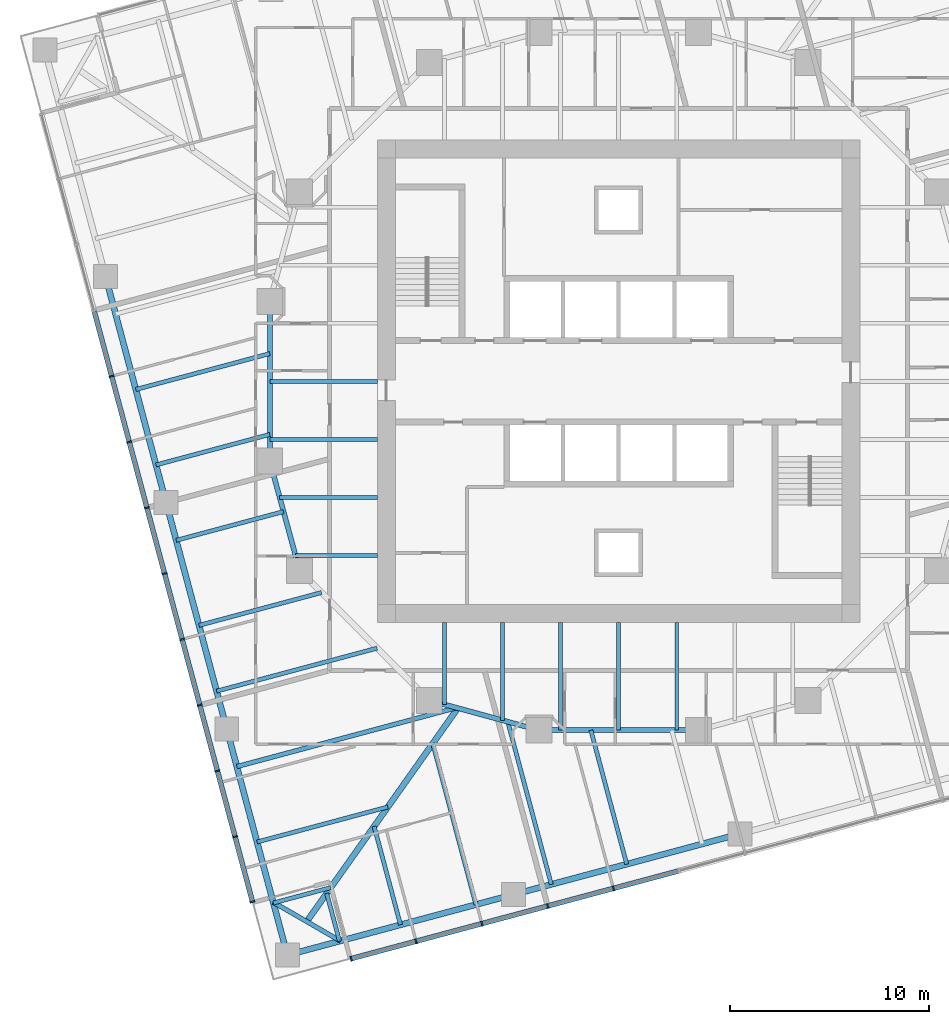
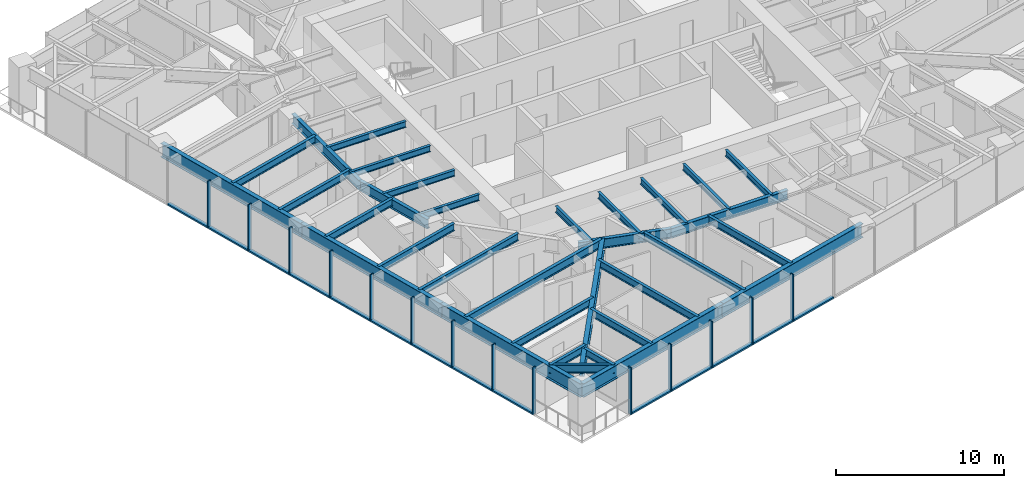
# One storey, part 2 of 15: 33 beams, 28 members, 2 elements without a shape of their own.
"""IFC4 building model written with IfcOpenShell, lengths in metres."""

from ifc_helpers import new_model, si_unit, direction, frame, origin, origin_2d, place, context, subcontext, project, spatial, rectangle, i_section, extrude, material, material_profile, profile_set, type_object, element, aggregate, save


model = new_model("IFC4")

# Units and contexts
model_context = context("Model", 3, precision=1e-05, world=origin(), true_north=direction((0.0, 1.0)))
body_context = subcontext(model_context, "Body", "Model", "MODEL_VIEW")
ifc_project = project(units=[si_unit("LENGTHUNIT", "METRE"), si_unit("AREAUNIT", "SQUARE_METRE"), si_unit("VOLUMEUNIT", "CUBIC_METRE"), si_unit("PLANEANGLEUNIT", "RADIAN"), si_unit("MASSUNIT", "GRAM", prefix="KILO")], contexts=[model_context])

# Site, building, storey
site_placement = place(None, origin())
site = spatial("IfcSite", under=ifc_project, at=site_placement, CompositionType="ELEMENT")
building_placement = place(site_placement, origin())
building = spatial("IfcBuilding", under=site, at=building_placement, Name="Torsade Residences", CompositionType="ELEMENT")
storey_placement = place(building_placement, frame((0.0, 0.0, 132.0)))
storey = spatial("IfcBuildingStorey", under=building, at=storey_placement, Name="L36", CompositionType="ELEMENT", Elevation=132.0)

# Beams
ifc_material_1 = material(Name="Steel grade 300", Category="steel")
ifc_material_profile_1 = material_profile(ifc_material_1, i_section(OverallWidth=0.300048828125, OverallDepth=0.89990234375, WebThickness=0.011962890625, FlangeThickness=0.02490234375, at=origin_2d()), Name="900WB175")
ifc_profile_set_1 = profile_set([ifc_material_profile_1], Name="Steel grade 300")
beam_type_1 = type_object("IfcBeamType", Name="CORNER GIRDER 900WB175", PredefinedType="BEAM", material=ifc_profile_set_1)
beam_1_placement = place(storey_placement, frame((24.355224609375, 2.902587890625, 2.800048828125), z_axis=(0.577683167004, 0.816261084801, 0.0), x_axis=(-0.816261084801, 0.577683167004, 0.0)))
element("IfcBeam", 1, at=beam_1_placement, inside=storey, type_object=beam_type_1, Name="Corner girder 01 L37", PredefinedType="BEAM", context=body_context, shape_type="SweptSolid", body=[
    extrude(i_section(OverallWidth=0.300048828125, OverallDepth=0.89990234375, WebThickness=0.011962890625, FlangeThickness=0.02490234375, at=origin_2d()), origin(), (0.0, 0.0, 1.0), 13.116943359375),
])
ifc_material_2 = material(Name="Steel grade 300", Category="steel")
ifc_material_profile_2 = material_profile(ifc_material_2, i_section(OverallWidth=0.22802734375, OverallDepth=0.60205078125, WebThickness=0.010498046875, FlangeThickness=0.014892578125, FilletRadius=0.013916015625, at=origin_2d()), Name="610UB101")
ifc_profile_set_2 = profile_set([ifc_material_profile_2], Name="Steel grade 300")
beam_type_2 = type_object("IfcBeamType", Name="CORNER TRIMMER 610UB101", PredefinedType="BEAM", material=ifc_profile_set_2)
beam_2_placement = place(storey_placement, frame((26.039306640625, 1.93017578125, 2.948974609375), z_axis=(-0.866028782848, 0.499994147244, 0.0), x_axis=(-0.499994147244, -0.866028782848, 0.0)))
element("IfcBeam", 2, at=beam_2_placement, inside=storey, type_object=beam_type_2, Name="Corner trimmer 01 L37", PredefinedType="BEAM", context=body_context, shape_type="SweptSolid", body=[
    extrude(i_section(OverallWidth=0.22802734375, OverallDepth=0.60205078125, WebThickness=0.010498046875, FlangeThickness=0.014892578125, FilletRadius=0.013916015625, at=origin_2d()), origin(), (0.0, 0.0, 1.0), 3.88916015625),
])
ifc_material_3 = material(Name="Steel grade 300", Category="steel")
ifc_material_profile_3 = material_profile(ifc_material_3, i_section(OverallWidth=0.300048828125, OverallDepth=1.0, WebThickness=0.01611328125, FlangeThickness=0.028076171875, at=origin_2d()), Name="1000WB215")
ifc_profile_set_3 = profile_set([ifc_material_profile_3], Name="Steel grade 300")
beam_type_3 = type_object("IfcBeamType", Name="EDGE BEAM 1000WB215", PredefinedType="SPANDREL", material=ifc_profile_set_3)
for number, where, z_axis, x_axis, name in (
    (3, (23.383056640625, 1.218505859375, 2.75), (0.965928018634, 0.258810863021, 0.0), (-0.258810863021, 0.965928018634, 0.0), "Edge beam 01 L37"),
    (4, (34.732666015625, 4.259521484375, 2.75), (0.965922824118, 0.258830249097, 0.0), (-0.258830249097, 0.965922824118, 0.0), "Edge beam 02 L37"),
    (5, (14.259521484375, 35.267333984375, 2.75), (0.258830249097, -0.965922824118, 0.0), (0.965922824118, 0.258830249097, 0.0), "Edge beam 14 L37"),
    (6, (17.30078125, 23.917724609375, 2.75), (0.258810863021, -0.965928018634, 0.0), (0.965928018634, 0.258810863021, 0.0), "Edge beam 15 L37"),
    (7, (20.341796875, 12.568115234375, 2.75), (0.258830249097, -0.965922824118, 0.0), (0.965922824118, 0.258830249097, 0.0), "Edge beam 16 L37"),
):
    element("IfcBeam", number, at=place(storey_placement, frame(where, z_axis=z_axis, x_axis=x_axis)), inside=storey, type_object=beam_type_3, Name=name, PredefinedType="SPANDREL", context=body_context, shape_type="SweptSolid", body=[
        extrude(i_section(OverallWidth=0.300048828125, OverallDepth=1.0, WebThickness=0.01611328125, FlangeThickness=0.028076171875, at=origin_2d()), origin(), (0.0, 0.0, 1.0), 11.75),
    ])
ifc_material_4 = material(Name="Steel grade 300", Category="steel")
ifc_material_profile_4 = material_profile(ifc_material_4, i_section(OverallWidth=0.18994140625, OverallDepth=0.4541015625, WebThickness=0.008544921875, FlangeThickness=0.0126953125, FilletRadius=0.011474609375, at=origin_2d()), Name="460UB67.1")
ifc_profile_set_4 = profile_set([ifc_material_profile_4], Name="Steel grade 300")
beam_type_4 = type_object("IfcBeamType", Name="INNER FLOOR BEAM 460UB67.1", PredefinedType="JOIST", material=ifc_profile_set_4)
for number, where, z_axis, x_axis, name in (
    (8, (42.91259765625, 17.89990234375, 3.02294921875), (0.0, -1.0, 0.0), (1.0, 0.0, 0.0), "Inner floor beam IS03 L37"),
    (9, (40.0, 17.89990234375, 3.02294921875), (0.0, -1.0, 0.0), (1.0, 0.0, 0.0), "Inner floor beam IS04 L37"),
    (10, (37.08740234375, 17.89990234375, 3.02294921875), (0.0, -1.0, 0.0), (1.0, 0.0, 0.0), "Inner floor beam IS05 L37"),
):
    element("IfcBeam", number, at=place(storey_placement, frame(where, z_axis=z_axis, x_axis=x_axis)), inside=storey, type_object=beam_type_4, Name=name, PredefinedType="JOIST", context=body_context, shape_type="SweptSolid", body=[
        extrude(i_section(OverallWidth=0.18994140625, OverallDepth=0.4541015625, WebThickness=0.008544921875, FlangeThickness=0.0126953125, FilletRadius=0.011474609375, at=origin_2d()), origin(), (0.0, 0.0, 1.0), 5.39990234375),
    ])
beam_3_placement = place(storey_placement, frame((34.175048828125, 17.89990234375, 3.02294921875), z_axis=(0.0, -1.0, 0.0), x_axis=(1.0, 0.0, 0.0)))
element("IfcBeam", 11, at=beam_3_placement, inside=storey, type_object=beam_type_4, Name="Inner floor beam IS06 L37", PredefinedType="JOIST", context=body_context, shape_type="SweptSolid", body=[
    extrude(i_section(OverallWidth=0.18994140625, OverallDepth=0.4541015625, WebThickness=0.008544921875, FlangeThickness=0.0126953125, FilletRadius=0.011474609375, at=origin_2d()), origin(), (0.0, 0.0, 1.0), 4.902099609375),
])
beam_4_placement = place(storey_placement, frame((31.262451171875, 17.89990234375, 3.02294921875), z_axis=(0.0, -1.0, 0.0), x_axis=(1.0, 0.0, 0.0)))
element("IfcBeam", 12, at=beam_4_placement, inside=storey, type_object=beam_type_4, Name="Inner floor beam IS07 L37", PredefinedType="JOIST", context=body_context, shape_type="SweptSolid", body=[
    extrude(i_section(OverallWidth=0.18994140625, OverallDepth=0.4541015625, WebThickness=0.008544921875, FlangeThickness=0.0126953125, FilletRadius=0.011474609375, at=origin_2d()), origin(), (0.0, 0.0, 1.0), 4.10791015625),
])
for number, where, z_axis, x_axis, name in (
    (13, (27.89990234375, 30.0, 3.02294921875), (-1.0, 0.0, 0.0), (0.0, -1.0, 0.0), "Inner floor beam IW04 L37"),
    (14, (27.89990234375, 27.08740234375, 3.02294921875), (-1.0, 0.0, 0.0), (0.0, -1.0, 0.0), "Inner floor beam IW05 L37"),
):
    element("IfcBeam", number, at=place(storey_placement, frame(where, z_axis=z_axis, x_axis=x_axis)), inside=storey, type_object=beam_type_4, Name=name, PredefinedType="JOIST", context=body_context, shape_type="SweptSolid", body=[
        extrude(i_section(OverallWidth=0.18994140625, OverallDepth=0.4541015625, WebThickness=0.008544921875, FlangeThickness=0.0126953125, FilletRadius=0.011474609375, at=origin_2d()), origin(), (0.0, 0.0, 1.0), 5.39990234375),
    ])
beam_5_placement = place(storey_placement, frame((27.89990234375, 24.175048828125, 3.02294921875), z_axis=(-1.0, 0.0, 0.0), x_axis=(0.0, -1.0, 0.0)))
element("IfcBeam", 15, at=beam_5_placement, inside=storey, type_object=beam_type_4, Name="Inner floor beam IW06 L37", PredefinedType="JOIST", context=body_context, shape_type="SweptSolid", body=[
    extrude(i_section(OverallWidth=0.18994140625, OverallDepth=0.4541015625, WebThickness=0.008544921875, FlangeThickness=0.0126953125, FilletRadius=0.011474609375, at=origin_2d()), origin(), (0.0, 0.0, 1.0), 4.902099609375),
])
beam_6_placement = place(storey_placement, frame((27.89990234375, 21.262451171875, 3.02294921875), z_axis=(-1.0, 0.0, 0.0), x_axis=(0.0, -1.0, 0.0)))
element("IfcBeam", 16, at=beam_6_placement, inside=storey, type_object=beam_type_4, Name="Inner floor beam IW07 L37", PredefinedType="JOIST", context=body_context, shape_type="SweptSolid", body=[
    extrude(i_section(OverallWidth=0.18994140625, OverallDepth=0.4541015625, WebThickness=0.008544921875, FlangeThickness=0.0126953125, FilletRadius=0.011474609375, at=origin_2d()), origin(), (0.0, 0.0, 1.0), 4.10791015625),
])

# Curtain wall, members
ifc_material_5 = material(Name="Aluminium and glass", Category="aluminium")
curtain_wall_type = type_object("IfcCurtainWallType", Name="FRITTED GLASS CURTAIN WALL MID ZONE", PredefinedType="NOTDEFINED", material=ifc_material_5)
curtain_wall_1_placement = place(storey_placement, origin())
curtain_wall_1 = element("IfcCurtainWall", 17, at=curtain_wall_1_placement, inside=storey, type_object=curtain_wall_type, Name="Curtain wall L36 face 1", PredefinedType="NOTDEFINED")
ifc_material_6 = material(Name="Aluminium mullion", Category="aluminium")
ifc_material_profile_5 = material_profile(ifc_material_6, rectangle(XDim=0.25, YDim=0.080078125, at=origin_2d()), Name="MID ZONE CURTAIN WALL MULLION 250x80")
ifc_profile_set_5 = profile_set([ifc_material_profile_5], Name="Aluminium mullion")
member_type_1 = type_object("IfcMemberType", Name="MID ZONE CURTAIN WALL MULLION 250x80", PredefinedType="MULLION", material=ifc_profile_set_5)
member_1_placement = place(storey_placement, frame((26.578125, 1.039306640625, 0.0), z_axis=(0.0, 0.0, 1.0), x_axis=(-0.258819047783, 0.965925825571, 0.0)))
member_1 = element("IfcMember", 18, at=member_1_placement, type_object=member_type_1, Name="Mullion 1", PredefinedType="MULLION", context=body_context, shape_type="SweptSolid", body=[
    extrude(rectangle(XDim=0.25, YDim=0.080078125, at=origin_2d()), origin(), (0.0, 0.0, 1.0), 3.39990234375),
])
member_2_placement = place(storey_placement, frame((29.83984375, 1.913330078125, 0.0), z_axis=(0.0, 0.0, 1.0), x_axis=(-0.258819047783, 0.965925825571, 0.0)))
member_2 = element("IfcMember", 19, at=member_2_placement, type_object=member_type_1, Name="Mullion 2", PredefinedType="MULLION", context=body_context, shape_type="SweptSolid", body=[
    extrude(rectangle(XDim=0.25, YDim=0.080078125, at=origin_2d()), origin(), (0.0, 0.0, 1.0), 3.39990234375),
])
member_3_placement = place(storey_placement, frame((33.14013671875, 2.797607421875, 0.0), z_axis=(0.0, 0.0, 1.0), x_axis=(-0.258819047783, 0.965925825571, 0.0)))
member_3 = element("IfcMember", 20, at=member_3_placement, type_object=member_type_1, Name="Mullion 3", PredefinedType="MULLION", context=body_context, shape_type="SweptSolid", body=[
    extrude(rectangle(XDim=0.25, YDim=0.080078125, at=origin_2d()), origin(), (0.0, 0.0, 1.0), 3.39990234375),
])
member_4_placement = place(storey_placement, frame((36.4404296875, 3.681884765625, 0.0), z_axis=(0.0, 0.0, 1.0), x_axis=(-0.258819047783, 0.965925825571, 0.0)))
member_4 = element("IfcMember", 21, at=member_4_placement, type_object=member_type_1, Name="Mullion 4", PredefinedType="MULLION", context=body_context, shape_type="SweptSolid", body=[
    extrude(rectangle(XDim=0.25, YDim=0.080078125, at=origin_2d()), origin(), (0.0, 0.0, 1.0), 3.39990234375),
])
member_5_placement = place(storey_placement, frame((39.740478515625, 4.566162109375, 0.0), z_axis=(0.0, 0.0, 1.0), x_axis=(-0.258819047783, 0.965925825571, 0.0)))
member_5 = element("IfcMember", 22, at=member_5_placement, type_object=member_type_1, Name="Mullion 5", PredefinedType="MULLION", context=body_context, shape_type="SweptSolid", body=[
    extrude(rectangle(XDim=0.25, YDim=0.080078125, at=origin_2d()), origin(), (0.0, 0.0, 1.0), 3.39990234375),
])

curtain_wall_2_placement = place(storey_placement, origin())
curtain_wall_2 = element("IfcCurtainWall", 23, at=curtain_wall_2_placement, inside=storey, type_object=curtain_wall_type, Name="Curtain wall L36 face 10", PredefinedType="NOTDEFINED")
member_6_placement = place(storey_placement, frame((14.566162109375, 30.259521484375, 0.0), z_axis=(0.0, 0.0, 1.0), x_axis=(0.965925825571, 0.258819047783, 0.0)))
member_6 = element("IfcMember", 24, at=member_6_placement, type_object=member_type_1, Name="Mullion 5", PredefinedType="MULLION", context=body_context, shape_type="SweptSolid", body=[
    extrude(rectangle(XDim=0.25, YDim=0.080078125, at=origin_2d()), origin(), (0.0, 0.0, 1.0), 3.39990234375),
])
member_7_placement = place(storey_placement, frame((15.450439453125, 26.959228515625, 0.0), z_axis=(0.0, 0.0, 1.0), x_axis=(0.965925825571, 0.258819047783, 0.0)))
member_7 = element("IfcMember", 25, at=member_7_placement, type_object=member_type_1, Name="Mullion 6", PredefinedType="MULLION", context=body_context, shape_type="SweptSolid", body=[
    extrude(rectangle(XDim=0.25, YDim=0.080078125, at=origin_2d()), origin(), (0.0, 0.0, 1.0), 3.39990234375),
])
member_8_placement = place(storey_placement, frame((16.334716796875, 23.658935546875, 0.0), z_axis=(0.0, 0.0, 1.0), x_axis=(0.965925825571, 0.258819047783, 0.0)))
member_8 = element("IfcMember", 26, at=member_8_placement, type_object=member_type_1, Name="Mullion 7", PredefinedType="MULLION", context=body_context, shape_type="SweptSolid", body=[
    extrude(rectangle(XDim=0.25, YDim=0.080078125, at=origin_2d()), origin(), (0.0, 0.0, 1.0), 3.39990234375),
])
member_9_placement = place(storey_placement, frame((17.218994140625, 20.358642578125, 0.0), z_axis=(0.0, 0.0, 1.0), x_axis=(0.965925825571, 0.258819047783, 0.0)))
member_9 = element("IfcMember", 27, at=member_9_placement, type_object=member_type_1, Name="Mullion 8", PredefinedType="MULLION", context=body_context, shape_type="SweptSolid", body=[
    extrude(rectangle(XDim=0.25, YDim=0.080078125, at=origin_2d()), origin(), (0.0, 0.0, 1.0), 3.39990234375),
])
member_10_placement = place(storey_placement, frame((18.103515625, 17.058349609375, 0.0), z_axis=(0.0, 0.0, 1.0), x_axis=(0.965925825571, 0.258819047783, 0.0)))
member_10 = element("IfcMember", 28, at=member_10_placement, type_object=member_type_1, Name="Mullion 9", PredefinedType="MULLION", context=body_context, shape_type="SweptSolid", body=[
    extrude(rectangle(XDim=0.25, YDim=0.080078125, at=origin_2d()), origin(), (0.0, 0.0, 1.0), 3.39990234375),
])
member_11_placement = place(storey_placement, frame((18.98779296875, 13.75830078125, 0.0), z_axis=(0.0, 0.0, 1.0), x_axis=(0.965925825571, 0.258819047783, 0.0)))
member_11 = element("IfcMember", 29, at=member_11_placement, type_object=member_type_1, Name="Mullion 10", PredefinedType="MULLION", context=body_context, shape_type="SweptSolid", body=[
    extrude(rectangle(XDim=0.25, YDim=0.080078125, at=origin_2d()), origin(), (0.0, 0.0, 1.0), 3.39990234375),
])
member_12_placement = place(storey_placement, frame((19.8720703125, 10.4580078125, 0.0), z_axis=(0.0, 0.0, 1.0), x_axis=(0.965925825571, 0.258819047783, 0.0)))
member_12 = element("IfcMember", 30, at=member_12_placement, type_object=member_type_1, Name="Mullion 11", PredefinedType="MULLION", context=body_context, shape_type="SweptSolid", body=[
    extrude(rectangle(XDim=0.25, YDim=0.080078125, at=origin_2d()), origin(), (0.0, 0.0, 1.0), 3.39990234375),
])
member_13_placement = place(storey_placement, frame((20.75634765625, 7.15771484375, 0.0), z_axis=(0.0, 0.0, 1.0), x_axis=(0.965925825571, 0.258819047783, 0.0)))
member_13 = element("IfcMember", 31, at=member_13_placement, type_object=member_type_1, Name="Mullion 12", PredefinedType="MULLION", context=body_context, shape_type="SweptSolid", body=[
    extrude(rectangle(XDim=0.25, YDim=0.080078125, at=origin_2d()), origin(), (0.0, 0.0, 1.0), 3.39990234375),
])
member_14_placement = place(storey_placement, frame((21.63037109375, 3.89599609375, 0.0), z_axis=(0.0, 0.0, 1.0), x_axis=(0.965925825571, 0.258819047783, 0.0)))
member_14 = element("IfcMember", 32, at=member_14_placement, type_object=member_type_1, Name="Mullion 13", PredefinedType="MULLION", context=body_context, shape_type="SweptSolid", body=[
    extrude(rectangle(XDim=0.25, YDim=0.080078125, at=origin_2d()), origin(), (0.0, 0.0, 1.0), 3.39990234375),
])

# Member
ifc_material_7 = material(Name="Aluminium transom", Category="aluminium")
ifc_material_profile_6 = material_profile(ifc_material_7, rectangle(XDim=0.25, YDim=0.110107421875, at=origin_2d()), Name="MID ZONE CURTAIN WALL TRANSOM 250x110")
ifc_profile_set_6 = profile_set([ifc_material_profile_6], Name="Aluminium transom")
member_type_2 = type_object("IfcMemberType", Name="MID ZONE CURTAIN WALL TRANSOM 250x110", PredefinedType="USERDEFINED", material=ifc_profile_set_6)
member_15_placement = place(storey_placement, frame((26.616943359375, 1.0498046875, 0.054931640625), z_axis=(0.965923258633, 0.258828627534, 0.0), x_axis=(-0.258828627534, 0.965923258633, 0.0)))
member_15 = element("IfcMember", 33, at=member_15_placement, type_object=member_type_2, Name="Transom 1.1", ObjectType="TRANSOM", PredefinedType="USERDEFINED", context=body_context, shape_type="SweptSolid", body=[
    extrude(rectangle(XDim=0.25, YDim=0.110107421875, at=origin_2d()), origin(), (0.0, 0.0, 1.0), 3.296630859375),
])

member_16_placement = place(storey_placement, frame((29.87841796875, 1.923583984375, 0.054931640625), z_axis=(0.965916044226, 0.258855549498, 0.0), x_axis=(-0.258855549498, 0.965916044226, 0.0)))
member_16 = element("IfcMember", 34, at=member_16_placement, type_object=member_type_2, Name="Transom 2.1", ObjectType="TRANSOM", PredefinedType="USERDEFINED", context=body_context, shape_type="SweptSolid", body=[
    extrude(rectangle(XDim=0.25, YDim=0.110107421875, at=origin_2d()), origin(), (0.0, 0.0, 1.0), 3.3369140625),
])

member_17_placement = place(storey_placement, frame((33.1787109375, 2.807861328125, 0.054931640625), z_axis=(0.96591114124, 0.258873844232, 0.0), x_axis=(-0.258873844232, 0.96591114124, 0.0)))
member_17 = element("IfcMember", 35, at=member_17_placement, type_object=member_type_2, Name="Transom 3.1", ObjectType="TRANSOM", PredefinedType="USERDEFINED", context=body_context, shape_type="SweptSolid", body=[
    extrude(rectangle(XDim=0.25, YDim=0.110107421875, at=origin_2d()), origin(), (0.0, 0.0, 1.0), 3.336669921875),
])

member_18_placement = place(storey_placement, frame((36.47900390625, 3.6923828125, 0.054931640625), z_axis=(0.965929435155, 0.258805576255, 0.0), x_axis=(-0.258805576255, 0.965929435155, 0.0)))
member_18 = element("IfcMember", 36, at=member_18_placement, type_object=member_type_2, Name="Transom 4.1", ObjectType="TRANSOM", PredefinedType="USERDEFINED", context=body_context, shape_type="SweptSolid", body=[
    extrude(rectangle(XDim=0.25, YDim=0.110107421875, at=origin_2d()), origin(), (0.0, 0.0, 1.0), 3.336669921875),
])

member_19_placement = place(storey_placement, frame((39.779296875, 4.57666015625, 0.054931640625), z_axis=(0.965929435155, 0.258805576255, 0.0), x_axis=(-0.258805576255, 0.965929435155, 0.0)))
member_19 = element("IfcMember", 37, at=member_19_placement, type_object=member_type_2, Name="Transom 5.1", ObjectType="TRANSOM", PredefinedType="USERDEFINED", context=body_context, shape_type="SweptSolid", body=[
    extrude(rectangle(XDim=0.25, YDim=0.110107421875, at=origin_2d()), origin(), (0.0, 0.0, 1.0), 3.336669921875),
])

aggregate(curtain_wall_1, [member_1, member_2, member_3, member_4, member_5, member_15, member_16, member_17, member_18, member_19])

member_20_placement = place(storey_placement, frame((13.6923828125, 33.52099609375, 0.054931640625), z_axis=(0.258805576255, -0.965929435155, 0.0), x_axis=(0.965929435155, 0.258805576255, 0.0)))
member_20 = element("IfcMember", 38, at=member_20_placement, type_object=member_type_2, Name="Transom 4.1", ObjectType="TRANSOM", PredefinedType="USERDEFINED", context=body_context, shape_type="SweptSolid", body=[
    extrude(rectangle(XDim=0.25, YDim=0.110107421875, at=origin_2d()), origin(), (0.0, 0.0, 1.0), 3.336669921875),
])

member_21_placement = place(storey_placement, frame((14.57666015625, 30.220703125, 0.054931640625), z_axis=(0.258805576255, -0.965929435155, 0.0), x_axis=(0.965929435155, 0.258805576255, 0.0)))
member_21 = element("IfcMember", 39, at=member_21_placement, type_object=member_type_2, Name="Transom 5.1", ObjectType="TRANSOM", PredefinedType="USERDEFINED", context=body_context, shape_type="SweptSolid", body=[
    extrude(rectangle(XDim=0.25, YDim=0.110107421875, at=origin_2d()), origin(), (0.0, 0.0, 1.0), 3.336669921875),
])

member_22_placement = place(storey_placement, frame((15.4609375, 26.920654296875, 0.054931640625), z_axis=(0.258787285653, -0.965934335648, 0.0), x_axis=(0.965934335648, 0.258787285653, 0.0)))
member_22 = element("IfcMember", 40, at=member_22_placement, type_object=member_type_2, Name="Transom 6.1", ObjectType="TRANSOM", PredefinedType="USERDEFINED", context=body_context, shape_type="SweptSolid", body=[
    extrude(rectangle(XDim=0.25, YDim=0.110107421875, at=origin_2d()), origin(), (0.0, 0.0, 1.0), 3.3369140625),
])

member_23_placement = place(storey_placement, frame((16.34521484375, 23.620361328125, 0.054931640625), z_axis=(0.258787285653, -0.965934335648, 0.0), x_axis=(0.965934335648, 0.258787285653, 0.0)))
member_23 = element("IfcMember", 41, at=member_23_placement, type_object=member_type_2, Name="Transom 7.1", ObjectType="TRANSOM", PredefinedType="USERDEFINED", context=body_context, shape_type="SweptSolid", body=[
    extrude(rectangle(XDim=0.25, YDim=0.110107421875, at=origin_2d()), origin(), (0.0, 0.0, 1.0), 3.3369140625),
])

member_24_placement = place(storey_placement, frame((17.2294921875, 20.320068359375, 0.054931640625), z_axis=(0.258805576255, -0.965929435155, 0.0), x_axis=(0.965929435155, 0.258805576255, 0.0)))
member_24 = element("IfcMember", 42, at=member_24_placement, type_object=member_type_2, Name="Transom 8.1", ObjectType="TRANSOM", PredefinedType="USERDEFINED", context=body_context, shape_type="SweptSolid", body=[
    extrude(rectangle(XDim=0.25, YDim=0.110107421875, at=origin_2d()), origin(), (0.0, 0.0, 1.0), 3.336669921875),
])

member_25_placement = place(storey_placement, frame((18.11376953125, 17.019775390625, 0.054931640625), z_axis=(0.258805576255, -0.965929435155, 0.0), x_axis=(0.965929435155, 0.258805576255, 0.0)))
member_25 = element("IfcMember", 43, at=member_25_placement, type_object=member_type_2, Name="Transom 9.1", ObjectType="TRANSOM", PredefinedType="USERDEFINED", context=body_context, shape_type="SweptSolid", body=[
    extrude(rectangle(XDim=0.25, YDim=0.110107421875, at=origin_2d()), origin(), (0.0, 0.0, 1.0), 3.336669921875),
])

member_26_placement = place(storey_placement, frame((18.998046875, 13.719482421875, 0.054931640625), z_axis=(0.258805576255, -0.965929435155, 0.0), x_axis=(0.965929435155, 0.258805576255, 0.0)))
member_26 = element("IfcMember", 44, at=member_26_placement, type_object=member_type_2, Name="Transom 10.1", ObjectType="TRANSOM", PredefinedType="USERDEFINED", context=body_context, shape_type="SweptSolid", body=[
    extrude(rectangle(XDim=0.25, YDim=0.110107421875, at=origin_2d()), origin(), (0.0, 0.0, 1.0), 3.336669921875),
])

member_27_placement = place(storey_placement, frame((19.88232421875, 10.419189453125, 0.054931640625), z_axis=(0.258805576255, -0.965929435155, 0.0), x_axis=(0.965929435155, 0.258805576255, 0.0)))
member_27 = element("IfcMember", 45, at=member_27_placement, type_object=member_type_2, Name="Transom 11.1", ObjectType="TRANSOM", PredefinedType="USERDEFINED", context=body_context, shape_type="SweptSolid", body=[
    extrude(rectangle(XDim=0.25, YDim=0.110107421875, at=origin_2d()), origin(), (0.0, 0.0, 1.0), 3.336669921875),
])

member_28_placement = place(storey_placement, frame((20.7666015625, 7.119140625, 0.054931640625), z_axis=(0.258828627534, -0.965923258633, 0.0), x_axis=(0.965923258633, 0.258828627534, 0.0)))
member_28 = element("IfcMember", 46, at=member_28_placement, type_object=member_type_2, Name="Transom 12.1", ObjectType="TRANSOM", PredefinedType="USERDEFINED", context=body_context, shape_type="SweptSolid", body=[
    extrude(rectangle(XDim=0.25, YDim=0.110107421875, at=origin_2d()), origin(), (0.0, 0.0, 1.0), 3.296630859375),
])

aggregate(curtain_wall_2, [member_6, member_7, member_8, member_9, member_10, member_11, member_12, member_13, member_14, member_20, member_21, member_22, member_23, member_24, member_25, member_26, member_27, member_28])

# Beams
ifc_material_8 = material(Name="Steel grade 300", Category="steel")
ifc_material_profile_7 = material_profile(ifc_material_8, i_section(OverallWidth=0.25, OverallDepth=0.699951171875, WebThickness=0.010009765625, FlangeThickness=0.02001953125, at=origin_2d()), Name="700WB130")
ifc_profile_set_7 = profile_set([ifc_material_profile_7], Name="Steel grade 300")
beam_type_5 = type_object("IfcBeamType", Name="RING GIRDER 700WB130", PredefinedType="BEAM", material=ifc_profile_set_7)
beam_7_placement = place(storey_placement, frame((22.5, 34.0, 2.89990234375), z_axis=(0.0, -1.0, 0.0), x_axis=(1.0, 0.0, 0.0)))
element("IfcBeam", 47, at=beam_7_placement, inside=storey, type_object=beam_type_5, Name="Ring girder IR09 L37", PredefinedType="BEAM", context=body_context, shape_type="SweptSolid", body=[
    extrude(i_section(OverallWidth=0.25, OverallDepth=0.699951171875, WebThickness=0.010009765625, FlangeThickness=0.02001953125, at=origin_2d()), origin(), (0.0, 0.0, 1.0), 8.0),
])
for number, where, z_axis, x_axis, name in (
    (48, (22.5, 26.0, 2.89990234375), (0.263117405792, -0.964763821238, 0.0), (0.964763821238, 0.263117405792, 0.0), "Ring girder IR10 L37"),
    (49, (30.5, 14.0, 2.89990234375), (0.964763821238, -0.263117405792, 0.0), (0.263117405792, 0.964763821238, 0.0), "Ring girder IR12 L37"),
):
    element("IfcBeam", number, at=place(storey_placement, frame(where, z_axis=z_axis, x_axis=x_axis)), inside=storey, type_object=beam_type_5, Name=name, PredefinedType="BEAM", context=body_context, shape_type="SweptSolid", body=[
        extrude(i_section(OverallWidth=0.25, OverallDepth=0.699951171875, WebThickness=0.010009765625, FlangeThickness=0.02001953125, at=origin_2d()), origin(), (0.0, 0.0, 1.0), 5.700927734375),
    ])
beam_8_placement = place(storey_placement, frame((36.0, 12.5, 2.89990234375), z_axis=(1.0, 0.0, 0.0), x_axis=(0.0, 1.0, 0.0)))
element("IfcBeam", 50, at=beam_8_placement, inside=storey, type_object=beam_type_5, Name="Ring girder IR13 L37", PredefinedType="BEAM", context=body_context, shape_type="SweptSolid", body=[
    extrude(i_section(OverallWidth=0.25, OverallDepth=0.699951171875, WebThickness=0.010009765625, FlangeThickness=0.02001953125, at=origin_2d()), origin(), (0.0, 0.0, 1.0), 8.0),
])
ifc_material_9 = material(Name="Steel grade 300", Category="steel")
ifc_material_profile_8 = material_profile(ifc_material_9, i_section(OverallWidth=0.208984375, OverallDepth=0.528076171875, WebThickness=0.009521484375, FlangeThickness=0.01318359375, FilletRadius=0.013916015625, at=origin_2d()), Name="530UB82.0")
ifc_profile_set_8 = profile_set([ifc_material_profile_8], Name="Steel grade 300")
beam_type_6 = type_object("IfcBeamType", Name="SECONDARY BEAM 530UB82.0", PredefinedType="JOIST", material=ifc_profile_set_8)
beam_9_placement = place(storey_placement, frame((25.9990234375, 1.91943359375, 2.986083984375), z_axis=(-0.258837674225, 0.965920834438, 0.0), x_axis=(-0.965920834438, -0.258837674225, 0.0)))
element("IfcBeam", 51, at=beam_9_placement, inside=storey, type_object=beam_type_6, Name="Floor beam FS01 L37", PredefinedType="JOIST", context=body_context, shape_type="SweptSolid", body=[
    extrude(i_section(OverallWidth=0.208984375, OverallDepth=0.528076171875, WebThickness=0.009521484375, FlangeThickness=0.01318359375, FilletRadius=0.013916015625, at=origin_2d()), origin(), (0.0, 0.0, 1.0), 2.482666015625),
])
beam_10_placement = place(storey_placement, frame((29.057861328125, 2.739013671875, 2.986083984375), z_axis=(-0.258815647274, 0.965926736728, 0.0), x_axis=(-0.965926736728, -0.258815647274, 0.0)))
element("IfcBeam", 52, at=beam_10_placement, inside=storey, type_object=beam_type_6, Name="Floor beam FS02 L37", PredefinedType="JOIST", context=body_context, shape_type="SweptSolid", body=[
    extrude(i_section(OverallWidth=0.208984375, OverallDepth=0.528076171875, WebThickness=0.009521484375, FlangeThickness=0.01318359375, FilletRadius=0.013916015625, at=origin_2d()), origin(), (0.0, 0.0, 1.0), 5.11279296875),
])
beam_11_placement = place(storey_placement, frame((32.841064453125, 3.752685546875, 2.986083984375), z_axis=(-0.258823120582, 0.965924734258, 0.0), x_axis=(-0.965924734258, -0.258823120582, 0.0)))
element("IfcBeam", 53, at=beam_11_placement, inside=storey, type_object=beam_type_6, Name="Floor beam FS03 L37", PredefinedType="JOIST", context=body_context, shape_type="SweptSolid", body=[
    extrude(i_section(OverallWidth=0.208984375, OverallDepth=0.528076171875, WebThickness=0.009521484375, FlangeThickness=0.01318359375, FilletRadius=0.013916015625, at=origin_2d()), origin(), (0.0, 0.0, 1.0), 8.365966796875),
])
beam_12_placement = place(storey_placement, frame((36.624267578125, 4.766357421875, 2.986083984375), z_axis=(-0.258808315464, 0.965928701223, 0.0), x_axis=(-0.965928701223, -0.258808315464, 0.0)))
element("IfcBeam", 54, at=beam_12_placement, inside=storey, type_object=beam_type_6, Name="Floor beam FS04 L37", PredefinedType="JOIST", context=body_context, shape_type="SweptSolid", body=[
    extrude(i_section(OverallWidth=0.208984375, OverallDepth=0.528076171875, WebThickness=0.009521484375, FlangeThickness=0.01318359375, FilletRadius=0.013916015625, at=origin_2d()), origin(), (0.0, 0.0, 1.0), 8.447509765625),
])
for number, where, z_axis, x_axis, name in (
    (55, (40.407470703125, 5.7802734375, 2.986083984375), (-0.258817945835, 0.965926120836, 0.0), (-0.965926120836, -0.258817945835, 0.0), "Floor beam FS05 L37"),
    (56, (15.7802734375, 29.592529296875, 2.986083984375), (0.965926120836, 0.258817945835, 0.0), (-0.258817945835, 0.965926120836, 0.0), "Floor beam FW05 L37"),
):
    element("IfcBeam", number, at=place(storey_placement, frame(where, z_axis=z_axis, x_axis=x_axis)), inside=storey, type_object=beam_type_6, Name=name, PredefinedType="JOIST", context=body_context, shape_type="SweptSolid", body=[
        extrude(i_section(OverallWidth=0.208984375, OverallDepth=0.528076171875, WebThickness=0.009521484375, FlangeThickness=0.01318359375, FilletRadius=0.013916015625, at=origin_2d()), origin(), (0.0, 0.0, 1.0), 6.956787109375),
    ])
beam_13_placement = place(storey_placement, frame((16.7939453125, 25.809326171875, 2.986083984375), z_axis=(0.965920748174, 0.258837996141, 0.0), x_axis=(-0.258837996141, 0.965920748174, 0.0)))
element("IfcBeam", 57, at=beam_13_placement, inside=storey, type_object=beam_type_6, Name="Floor beam FW06 L37", PredefinedType="JOIST", context=body_context, shape_type="SweptSolid", body=[
    extrude(i_section(OverallWidth=0.208984375, OverallDepth=0.528076171875, WebThickness=0.009521484375, FlangeThickness=0.01318359375, FilletRadius=0.013916015625, at=origin_2d()), origin(), (0.0, 0.0, 1.0), 5.907470703125),
])
beam_14_placement = place(storey_placement, frame((17.8076171875, 22.026123046875, 2.986083984375), z_axis=(0.965923020144, 0.258829517553, 0.0), x_axis=(-0.258829517553, 0.965923020144, 0.0)))
element("IfcBeam", 58, at=beam_14_placement, inside=storey, type_object=beam_type_6, Name="Floor beam FW07 L37", PredefinedType="JOIST", context=body_context, shape_type="SweptSolid", body=[
    extrude(i_section(OverallWidth=0.208984375, OverallDepth=0.528076171875, WebThickness=0.009521484375, FlangeThickness=0.01318359375, FilletRadius=0.013916015625, at=origin_2d()), origin(), (0.0, 0.0, 1.0), 5.57275390625),
])
beam_15_placement = place(storey_placement, frame((18.95068359375, 17.760009765625, 2.986083984375), z_axis=(0.965929717932, 0.258804520856, 0.0), x_axis=(-0.258804520856, 0.965929717932, 0.0)))
element("IfcBeam", 59, at=beam_15_placement, inside=storey, type_object=beam_type_6, Name="Floor beam FW08 L37", PredefinedType="JOIST", context=body_context, shape_type="SweptSolid", body=[
    extrude(i_section(OverallWidth=0.208984375, OverallDepth=0.528076171875, WebThickness=0.009521484375, FlangeThickness=0.01318359375, FilletRadius=0.013916015625, at=origin_2d()), origin(), (0.0, 0.0, 1.0), 6.360107421875),
])
beam_16_placement = place(storey_placement, frame((19.8349609375, 14.459716796875, 2.986083984375), z_axis=(0.96592202475, 0.258833232221, 0.0), x_axis=(-0.258833232221, 0.96592202475, 0.0)))
element("IfcBeam", 60, at=beam_16_placement, inside=storey, type_object=beam_type_6, Name="Floor beam FW09 L37", PredefinedType="JOIST", context=body_context, shape_type="SweptSolid", body=[
    extrude(i_section(OverallWidth=0.208984375, OverallDepth=0.528076171875, WebThickness=0.009521484375, FlangeThickness=0.01318359375, FilletRadius=0.013916015625, at=origin_2d()), origin(), (0.0, 0.0, 1.0), 8.33251953125),
])
beam_17_placement = place(storey_placement, frame((21.862548828125, 6.893310546875, 2.986083984375), z_axis=(0.965927035229, 0.258814533235, 0.0), x_axis=(-0.258814533235, 0.965927035229, 0.0)))
element("IfcBeam", 61, at=beam_17_placement, inside=storey, type_object=beam_type_6, Name="Floor beam FW11 L37", PredefinedType="JOIST", context=body_context, shape_type="SweptSolid", body=[
    extrude(i_section(OverallWidth=0.208984375, OverallDepth=0.528076171875, WebThickness=0.009521484375, FlangeThickness=0.01318359375, FilletRadius=0.013916015625, at=origin_2d()), origin(), (0.0, 0.0, 1.0), 6.792724609375),
])
beam_18_placement = place(storey_placement, frame((22.68212890625, 3.83447265625, 2.986083984375), z_axis=(0.965913310475, 0.258865750242, 0.0), x_axis=(-0.258865750242, 0.965913310475, 0.0)))
element("IfcBeam", 62, at=beam_18_placement, inside=storey, type_object=beam_type_6, Name="Floor beam FW12 L37", PredefinedType="JOIST", context=body_context, shape_type="SweptSolid", body=[
    extrude(i_section(OverallWidth=0.208984375, OverallDepth=0.528076171875, WebThickness=0.009521484375, FlangeThickness=0.01318359375, FilletRadius=0.013916015625, at=origin_2d()), origin(), (0.0, 0.0, 1.0), 2.980224609375),
])
ifc_material_10 = material(Name="Steel grade 300", Category="steel")
ifc_material_profile_9 = material_profile(ifc_material_10, i_section(OverallWidth=0.22900390625, OverallDepth=0.612060546875, WebThickness=0.011962890625, FlangeThickness=0.01953125, FilletRadius=0.013916015625, at=origin_2d()), Name="610UB125")
ifc_profile_set_9 = profile_set([ifc_material_profile_9], Name="Steel grade 300")
beam_type_7 = type_object("IfcBeamType", Name="SECONDARY BEAM 610UB125", PredefinedType="JOIST", material=ifc_profile_set_9)
beam_19_placement = place(storey_placement, frame((20.8486328125, 10.676513671875, 2.944091796875), z_axis=(0.965929035417, 0.258807068179, 0.0), x_axis=(-0.258807068179, 0.965929035417, 0.0)))
element("IfcBeam", 63, at=beam_19_placement, inside=storey, type_object=beam_type_7, Name="Floor beam FW10 L37", PredefinedType="JOIST", context=body_context, shape_type="SweptSolid", body=[
    extrude(i_section(OverallWidth=0.22900390625, OverallDepth=0.612060546875, WebThickness=0.011962890625, FlangeThickness=0.01953125, FilletRadius=0.013916015625, at=origin_2d()), origin(), (0.0, 0.0, 1.0), 11.40380859375),
])

save(model, "model.ifc")
